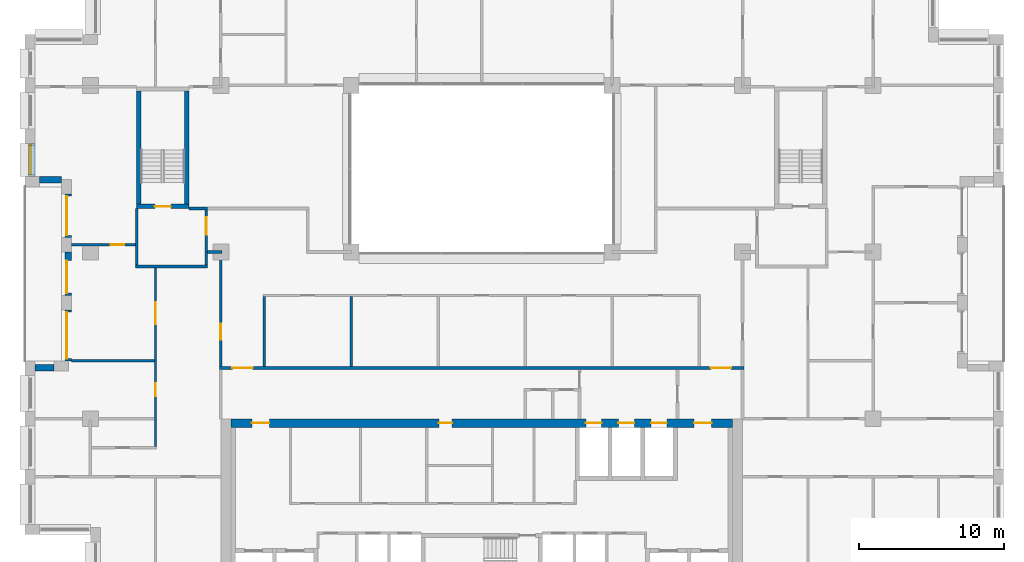
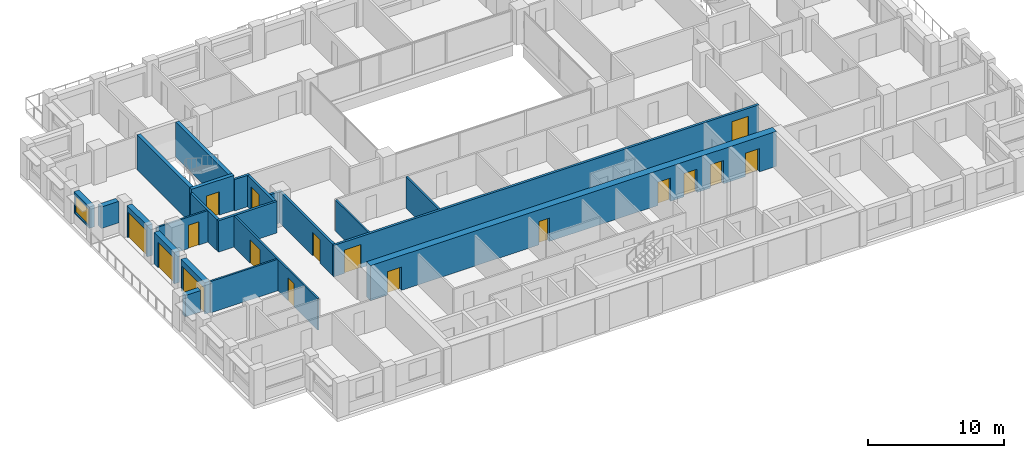
# One storey, part 9 of 15: 22 walls, 17 doors, 1 window, 18 openings.
"""IFC4 building model written with IfcOpenShell, lengths in metres."""

from ifc_helpers import new_model, si_unit, direction, frame, frame_2d, origin, place, context, subcontext, project, spatial, rectangle, extrude, material, layer, layer_set, type_object, element, fill, save


model = new_model("IFC4")

# Units and contexts
model_context = context("Model", 3, precision=1e-05, world=origin(), true_north=direction((0.0, 1.0)))
body_context = subcontext(model_context, "Body", "Model", "MODEL_VIEW")
ifc_project = project(units=[si_unit("LENGTHUNIT", "METRE"), si_unit("AREAUNIT", "SQUARE_METRE"), si_unit("VOLUMEUNIT", "CUBIC_METRE"), si_unit("PLANEANGLEUNIT", "RADIAN"), si_unit("MASSUNIT", "GRAM", prefix="KILO")], contexts=[model_context])

# Site, building, storey
site_placement = place(None, origin())
site = spatial("IfcSite", under=ifc_project, at=site_placement, CompositionType="ELEMENT")
building_placement = place(site_placement, origin())
building = spatial("IfcBuilding", under=site, at=building_placement, Name="Brigalow Station Residences", CompositionType="ELEMENT")
storey_placement = place(building_placement, frame((0.0, 0.0, 144.449951171875)))
storey = spatial("IfcBuildingStorey", under=building, at=storey_placement, Name="L41", CompositionType="ELEMENT", Elevation=144.449951171875)

# Wall, opening, window
ifc_material_1 = material(Name="Clay brick masonry", Category="masonry")
ifc_layer_1 = layer(ifc_material_1, 0.449951171875)
ifc_layer_set_1 = layer_set([ifc_layer_1], Name="BRICK INFILL WALL 450")
wall_type_1 = type_object("IfcWallType", Name="BRICK INFILL WALL 450", PredefinedType="SOLIDWALL", material=ifc_layer_set_1)
wall_1_placement = place(storey_placement, frame((4.97509765625, 31.5, 0.900146484375), z_axis=(0.0, 0.0, 1.0), x_axis=(0.0, -1.0, 0.0)))
wall_1 = element("IfcWall", 1, at=wall_1_placement, inside=storey, type_object=wall_type_1, Name="L41/ewall/W-L41-39", PredefinedType="SOLIDWALL", context=body_context, shape_type="SweptSolid", body=[
    extrude(rectangle(XDim=2.300048828125, YDim=0.449951171875, at=frame_2d((1.14990234375, 0.0))), origin(), (0.0, 0.0, 1.0), 1.929931640625),
])
opening_1_placement = place(wall_1_placement, frame((0.14990234375, 0.0, 0.14990234375)))
opening_1 = element("IfcOpeningElement", 2, at=opening_1_placement, cuts=wall_1, Name="Opening WT-7", PredefinedType="OPENING", context=body_context, shape_type="SweptSolid", body=[
    extrude(rectangle(XDim=2.0, YDim=1.5, at=frame_2d((1.0, 0.75))), frame((0.0, 0.23486328125, 0.0), z_axis=(0.0, -1.0, 0.0), x_axis=(1.0, 0.0, 0.0)), (0.0, 0.0, 1.0), 0.469970703125),
])
ifc_material_2 = material(Name="Anodised aluminium frame with double glazing", Category="aluminium")
window_type = type_object("IfcWindowType", Name="WINDOW 2000x1500", PartitioningType="SINGLE_PANEL", PredefinedType="WINDOW", material=ifc_material_2)
window_placement = place(opening_1_placement, origin())
window = element("IfcWindow", 3, at=window_placement, inside=storey, type_object=window_type, Name="L41/window/W-L41-39", OverallHeight=1.5, OverallWidth=2.0, PartitioningType="SINGLE_PANEL", PredefinedType="WINDOW", context=body_context, shape_type="SweptSolid", body=[
    extrude(rectangle(XDim=2.0, YDim=1.5, at=frame_2d((1.0, 0.75))), frame((0.0, -0.06494140625, 0.0), z_axis=(0.0, -1.0, 0.0), x_axis=(1.0, 0.0, 0.0)), (0.0, 0.0, 1.0), 0.06005859375),
])
fill(opening_1, window)

# Wall
wall_2_placement = place(storey_placement, frame((5.5, 28.97509765625, 0.900146484375), z_axis=(0.0, 0.0, 1.0), x_axis=(1.0, 0.0, 0.0)))
element("IfcWall", 4, at=wall_2_placement, inside=storey, type_object=wall_type_1, Name="L41/ewall/W-L41-40", PredefinedType="SOLIDWALL", context=body_context, shape_type="SweptSolid", body=[
    extrude(rectangle(XDim=1.5, YDim=0.449951171875, at=frame_2d((0.75, 0.0))), origin(), (0.0, 0.0, 1.0), 1.929931640625),
])

# Wall, opening, door
wall_3_placement = place(storey_placement, frame((7.47509765625, 28.0, 0.0), z_axis=(0.0, 0.0, 1.0), x_axis=(0.0, -1.0, 0.0)))
wall_3 = element("IfcWall", 5, at=wall_3_placement, inside=storey, type_object=wall_type_1, Name="L41/ewall/W-L41-41", PredefinedType="SOLIDWALL", context=body_context, shape_type="SweptSolid", body=[
    extrude(rectangle(XDim=3.0, YDim=0.449951171875, at=frame_2d((1.5, 0.0))), origin(), (0.0, 0.0, 1.0), 2.830078125),
])
opening_2_placement = place(wall_3_placement, frame((0.14990234375, 0.0, 0.0)))
opening_2 = element("IfcOpeningElement", 6, at=opening_2_placement, cuts=wall_3, Name="Opening D-B2700", PredefinedType="OPENING", context=body_context, shape_type="SweptSolid", body=[
    extrude(rectangle(XDim=2.699951171875, YDim=2.300048828125, at=frame_2d((1.35009765625, 1.14990234375))), frame((0.0, 0.23486328125, 0.0), z_axis=(0.0, -1.0, 0.0), x_axis=(1.0, 0.0, 0.0)), (0.0, 0.0, 1.0), 0.469970703125),
])
ifc_material_3 = material(Name="Anodised aluminium frame with double glazing", Category="aluminium")
door_type_1 = type_object("IfcDoorType", Name="BALCONY SLIDING DOOR 2700x2300", OperationType="SLIDING_TO_LEFT", PredefinedType="DOOR", material=ifc_material_3)
door_1_placement = place(opening_2_placement, origin())
door_1 = element("IfcDoor", 7, at=door_1_placement, inside=storey, type_object=door_type_1, Name="L41/balcony-door/W-L41-41", OperationType="SLIDING_TO_LEFT", OverallHeight=2.300048828125, OverallWidth=2.699951171875, PredefinedType="DOOR", context=body_context, shape_type="SweptSolid", body=[
    extrude(rectangle(XDim=2.699951171875, YDim=2.300048828125, at=frame_2d((1.35009765625, 1.14990234375))), frame((0.0, -0.06982421875, 0.0), z_axis=(0.0, -1.0, 0.0), x_axis=(1.0, 0.0, 0.0)), (0.0, 0.0, 1.0), 0.050048828125),
])
fill(opening_2, door_1)

wall_4_placement = place(storey_placement, frame((7.47509765625, 24.0, 0.0), z_axis=(0.0, 0.0, 1.0), x_axis=(0.0, -1.0, 0.0)))
wall_4 = element("IfcWall", 8, at=wall_4_placement, inside=storey, type_object=wall_type_1, Name="L41/ewall/W-L41-42", PredefinedType="SOLIDWALL", context=body_context, shape_type="SweptSolid", body=[
    extrude(rectangle(XDim=3.0, YDim=0.449951171875, at=frame_2d((1.5, 0.0))), origin(), (0.0, 0.0, 1.0), 2.830078125),
])
opening_3_placement = place(wall_4_placement, frame((0.5849609375, 0.0, 0.0)))
opening_3 = element("IfcOpeningElement", 9, at=opening_3_placement, cuts=wall_4, Name="Opening D-B2250", PredefinedType="OPENING", context=body_context, shape_type="SweptSolid", body=[
    extrude(rectangle(XDim=2.25, YDim=2.300048828125, at=frame_2d((1.125, 1.14990234375))), frame((0.0, 0.23486328125, 0.0), z_axis=(0.0, -1.0, 0.0), x_axis=(1.0, 0.0, 0.0)), (0.0, 0.0, 1.0), 0.469970703125),
])
ifc_material_4 = material(Name="Anodised aluminium frame with double glazing", Category="aluminium")
door_type_2 = type_object("IfcDoorType", Name="BALCONY SLIDING DOOR 2250x2300", OperationType="SLIDING_TO_LEFT", PredefinedType="DOOR", material=ifc_material_4)
door_2_placement = place(opening_3_placement, origin())
door_2 = element("IfcDoor", 10, at=door_2_placement, inside=storey, type_object=door_type_2, Name="L41/balcony-door/W-L41-42", OperationType="SLIDING_TO_LEFT", OverallHeight=2.300048828125, OverallWidth=2.25, PredefinedType="DOOR", context=body_context, shape_type="SweptSolid", body=[
    extrude(rectangle(XDim=2.25, YDim=2.300048828125, at=frame_2d((1.125, 1.14990234375))), frame((0.0, -0.06982421875, 0.0), z_axis=(0.0, -1.0, 0.0), x_axis=(1.0, 0.0, 0.0)), (0.0, 0.0, 1.0), 0.050048828125),
])
fill(opening_3, door_2)

wall_5_placement = place(storey_placement, frame((7.47509765625, 20.0, 0.0), z_axis=(0.0, 0.0, 1.0), x_axis=(0.0, -1.0, 0.0)))
wall_5 = element("IfcWall", 11, at=wall_5_placement, inside=storey, type_object=wall_type_1, Name="L41/ewall/W-L41-43", PredefinedType="SOLIDWALL", context=body_context, shape_type="SweptSolid", body=[
    extrude(rectangle(XDim=3.5, YDim=0.449951171875, at=frame_2d((1.75, 0.0))), origin(), (0.0, 0.0, 1.0), 2.830078125),
])
opening_4_placement = place(wall_5_placement, frame((0.14990234375, 0.0, 0.0)))
opening_4 = element("IfcOpeningElement", 12, at=opening_4_placement, cuts=wall_5, Name="Opening D-B3200", PredefinedType="OPENING", context=body_context, shape_type="SweptSolid", body=[
    extrude(rectangle(XDim=3.199951171875, YDim=2.300048828125, at=frame_2d((1.60009765625, 1.14990234375))), frame((0.0, 0.23486328125, 0.0), z_axis=(0.0, -1.0, 0.0), x_axis=(1.0, 0.0, 0.0)), (0.0, 0.0, 1.0), 0.469970703125),
])
ifc_material_5 = material(Name="Anodised aluminium frame with double glazing", Category="aluminium")
door_type_3 = type_object("IfcDoorType", Name="BALCONY SLIDING DOOR 3200x2300", OperationType="SLIDING_TO_LEFT", PredefinedType="DOOR", material=ifc_material_5)
door_3_placement = place(opening_4_placement, origin())
door_3 = element("IfcDoor", 13, at=door_3_placement, inside=storey, type_object=door_type_3, Name="L41/balcony-door/W-L41-43", OperationType="SLIDING_TO_LEFT", OverallHeight=2.300048828125, OverallWidth=3.199951171875, PredefinedType="DOOR", context=body_context, shape_type="SweptSolid", body=[
    extrude(rectangle(XDim=3.199951171875, YDim=2.300048828125, at=frame_2d((1.60009765625, 1.14990234375))), frame((0.0, -0.06982421875, 0.0), z_axis=(0.0, -1.0, 0.0), x_axis=(1.0, 0.0, 0.0)), (0.0, 0.0, 1.0), 0.050048828125),
])
fill(opening_4, door_3)

# Wall
wall_6_placement = place(storey_placement, frame((6.5, 16.02490234375, 0.900146484375), z_axis=(0.0, 0.0, 1.0), x_axis=(-1.0, 0.0, 0.0)))
element("IfcWall", 14, at=wall_6_placement, inside=storey, type_object=wall_type_1, Name="L41/ewall/W-L41-44", PredefinedType="SOLIDWALL", context=body_context, shape_type="SweptSolid", body=[
    extrude(rectangle(XDim=1.300048828125, YDim=0.449951171875, at=frame_2d((0.64990234375, 0.0))), origin(), (0.0, 0.0, 1.0), 1.929931640625),
])

# Wall, opening, door
ifc_material_6 = material(Name="Concrete C65", Category="concrete")
ifc_layer_2 = layer(ifc_material_6, 0.300048828125)
ifc_layer_set_2 = layer_set([ifc_layer_2], Name="CORE SHEAR WALL 300 C65")
wall_type_2 = type_object("IfcWallType", Name="CORE SHEAR WALL 300 C65", PredefinedType="SHEAR", material=ifc_layer_set_2)
wall_7_placement = place(storey_placement, frame((12.199951171875, 27.14990234375, 0.0), z_axis=(0.0, 0.0, 1.0), x_axis=(1.0, 0.0, 0.0)))
wall_7 = element("IfcWall", 15, at=wall_7_placement, inside=storey, type_object=wall_type_2, Name="CORE WALL ST-S1-S L41", PredefinedType="SHEAR", context=body_context, shape_type="SweptSolid", body=[
    extrude(rectangle(XDim=3.60009765625, YDim=0.300048828125, at=frame_2d((1.800048828125, 0.0))), origin(), (0.0, 0.0, 1.0), 3.150146484375),
])
opening_5_placement = place(wall_7_placement, frame((1.25, 0.0, 0.0)))
opening_5 = element("IfcOpeningElement", 16, at=opening_5_placement, cuts=wall_7, Name="Opening D-5015", PredefinedType="OPENING", context=body_context, shape_type="SweptSolid", body=[
    extrude(rectangle(XDim=1.10009765625, YDim=2.10009765625, at=frame_2d((0.550048828125, 1.050048828125))), frame((0.0, 0.16015625, 0.0), z_axis=(0.0, -1.0, 0.0), x_axis=(1.0, 0.0, 0.0)), (0.0, 0.0, 1.0), 0.320068359375),
])
ifc_material_7 = material(Name="Steel fire door leaf in steel frame", Category="steel")
door_type_4 = type_object("IfcDoorType", Name="STAIR DOOR 1100 x 2100 FD60S", OperationType="SINGLE_SWING_LEFT", PredefinedType="DOOR", material=ifc_material_7)
door_4_placement = place(opening_5_placement, origin())
door_4 = element("IfcDoor", 17, at=door_4_placement, inside=storey, type_object=door_type_4, Name="D-5015", OperationType="SINGLE_SWING_LEFT", OverallHeight=2.10009765625, OverallWidth=1.10009765625, PredefinedType="DOOR", context=body_context, shape_type="SweptSolid", body=[
    extrude(rectangle(XDim=1.10009765625, YDim=2.10009765625, at=frame_2d((0.550048828125, 1.050048828125))), frame((0.0, 0.02490234375, 0.0), z_axis=(0.0, -1.0, 0.0), x_axis=(1.0, 0.0, 0.0)), (0.0, 0.0, 1.0), 0.050048828125),
])
fill(opening_5, door_4)

# Walls
for number, where, z_axis, x_axis, name in (
    (18, (12.35009765625, 27.300048828125, 0.0), (0.0, 0.0, 1.0), (0.0, 1.0, 0.0), "CORE WALL ST-S1-W L41"),
    (19, (15.64990234375, 27.300048828125, 0.0), (0.0, 0.0, 1.0), (0.0, 1.0, 0.0), "CORE WALL ST-S1-E L41"),
):
    element("IfcWall", number, at=place(storey_placement, frame(where, z_axis=z_axis, x_axis=x_axis)), inside=storey, type_object=wall_type_2, Name=name, PredefinedType="SHEAR", context=body_context, shape_type="SweptSolid", body=[
        extrude(rectangle(XDim=7.800048828125, YDim=0.300048828125, at=frame_2d((3.89990234375, 0.0))), origin(), (0.0, 0.0, 1.0), 3.150146484375),
    ])

# Wall, openings, doors
ifc_material_8 = material(Name="Concrete C65", Category="concrete")
ifc_layer_3 = layer(ifc_material_8, 0.60009765625)
ifc_layer_set_3 = layer_set([ifc_layer_3], Name="CORE SHEAR WALL 600 C65")
wall_type_3 = type_object("IfcWallType", Name="CORE SHEAR WALL 600 C65", PredefinedType="SHEAR", material=ifc_layer_set_3)
wall_8_placement = place(storey_placement, frame((18.699951171875, 12.199951171875, 0.0), z_axis=(0.0, 0.0, 1.0), x_axis=(1.0, 0.0, 0.0)))
wall_8 = element("IfcWall", 20, at=wall_8_placement, inside=storey, type_object=wall_type_3, Name="CORE WALL OUT-N L41", PredefinedType="SHEAR", context=body_context, shape_type="SweptSolid", body=[
    extrude(rectangle(XDim=34.60009765625, YDim=0.60009765625, at=frame_2d((17.300048828125, 0.0))), origin(), (0.0, 0.0, 1.0), 3.150146484375),
])
opening_6_placement = place(wall_8_placement, frame((24.47509765625, 0.0, 0.0)))
opening_6 = element("IfcOpeningElement", 21, at=opening_6_placement, cuts=wall_8, Name="Opening LD-LF1", PredefinedType="OPENING", context=body_context, shape_type="SweptSolid", body=[
    extrude(rectangle(XDim=1.10009765625, YDim=2.10009765625, at=frame_2d((0.550048828125, 1.050048828125))), frame((0.0, 0.31005859375, 0.0), z_axis=(0.0, -1.0, 0.0), x_axis=(1.0, 0.0, 0.0)), (0.0, 0.0, 1.0), 0.6201171875),
])
opening_7_placement = place(wall_8_placement, frame((26.72509765625, 0.0, 0.0)))
opening_7 = element("IfcOpeningElement", 22, at=opening_7_placement, cuts=wall_8, Name="Opening LD-LF2", PredefinedType="OPENING", context=body_context, shape_type="SweptSolid", body=[
    extrude(rectangle(XDim=1.10009765625, YDim=2.10009765625, at=frame_2d((0.550048828125, 1.050048828125))), frame((0.0, 0.31005859375, 0.0), z_axis=(0.0, -1.0, 0.0), x_axis=(1.0, 0.0, 0.0)), (0.0, 0.0, 1.0), 0.6201171875),
])
opening_8_placement = place(wall_8_placement, frame((28.97509765625, 0.0, 0.0)))
opening_8 = element("IfcOpeningElement", 23, at=opening_8_placement, cuts=wall_8, Name="Opening LD-LG1", PredefinedType="OPENING", context=body_context, shape_type="SweptSolid", body=[
    extrude(rectangle(XDim=1.10009765625, YDim=2.10009765625, at=frame_2d((0.550048828125, 1.050048828125))), frame((0.0, 0.31005859375, 0.0), z_axis=(0.0, -1.0, 0.0), x_axis=(1.0, 0.0, 0.0)), (0.0, 0.0, 1.0), 0.6201171875),
])
opening_9_placement = place(wall_8_placement, frame((14.35009765625, 0.0, 0.0)))
opening_9 = element("IfcOpeningElement", 24, at=opening_9_placement, cuts=wall_8, Name="Opening D-5113", PredefinedType="OPENING", context=body_context, shape_type="SweptSolid", body=[
    extrude(rectangle(XDim=0.89990234375, YDim=2.10009765625, at=frame_2d((0.449951171875, 1.050048828125))), frame((0.0, 0.31005859375, 0.0), z_axis=(0.0, -1.0, 0.0), x_axis=(1.0, 0.0, 0.0)), (0.0, 0.0, 1.0), 0.6201171875),
])
opening_10_placement = place(wall_8_placement, frame((1.449951171875, 0.0, 0.0)))
opening_10 = element("IfcOpeningElement", 25, at=opening_10_placement, cuts=wall_8, Name="Opening D-5011", PredefinedType="OPENING", context=body_context, shape_type="SweptSolid", body=[
    extrude(rectangle(XDim=1.199951171875, YDim=2.10009765625, at=frame_2d((0.60009765625, 1.050048828125))), frame((0.0, 0.31005859375, 0.0), z_axis=(0.0, -1.0, 0.0), x_axis=(1.0, 0.0, 0.0)), (0.0, 0.0, 1.0), 0.6201171875),
])
opening_11_placement = place(wall_8_placement, frame((31.949951171875, 0.0, 0.0)))
opening_11 = element("IfcOpeningElement", 26, at=opening_11_placement, cuts=wall_8, Name="Opening D-5012", PredefinedType="OPENING", context=body_context, shape_type="SweptSolid", body=[
    extrude(rectangle(XDim=1.199951171875, YDim=2.10009765625, at=frame_2d((0.60009765625, 1.050048828125))), frame((0.0, 0.31005859375, 0.0), z_axis=(0.0, -1.0, 0.0), x_axis=(1.0, 0.0, 0.0)), (0.0, 0.0, 1.0), 0.6201171875),
])
ifc_material_9 = material(Name="Steel fire door leaf in steel frame", Category="steel")
door_type_5 = type_object("IfcDoorType", Name="CORE CORRIDOR DOOR 1200 x 2100 FD60S", OperationType="SINGLE_SWING_LEFT", PredefinedType="DOOR", material=ifc_material_9)
door_5_placement = place(opening_10_placement, frame((1.199951171875, 0.0, 0.0), z_axis=(0.0, 0.0, 1.0), x_axis=(-1.0, 0.0, 0.0)))
door_5 = element("IfcDoor", 27, at=door_5_placement, inside=storey, type_object=door_type_5, Name="D-5011", OperationType="SINGLE_SWING_LEFT", OverallHeight=2.10009765625, OverallWidth=1.199951171875, PredefinedType="DOOR", context=body_context, shape_type="SweptSolid", body=[
    extrude(rectangle(XDim=1.199951171875, YDim=2.10009765625, at=frame_2d((0.60009765625, 1.050048828125))), frame((0.0, 0.02490234375, 0.0), z_axis=(0.0, -1.0, 0.0), x_axis=(1.0, 0.0, 0.0)), (0.0, 0.0, 1.0), 0.050048828125),
])
fill(opening_10, door_5)
door_6_placement = place(opening_11_placement, frame((1.199951171875, 0.0, 0.0), z_axis=(0.0, 0.0, 1.0), x_axis=(-1.0, 0.0, 0.0)))
door_6 = element("IfcDoor", 28, at=door_6_placement, inside=storey, type_object=door_type_5, Name="D-5012", OperationType="SINGLE_SWING_RIGHT", OverallHeight=2.10009765625, OverallWidth=1.199951171875, PredefinedType="DOOR", context=body_context, shape_type="SweptSolid", body=[
    extrude(rectangle(XDim=1.199951171875, YDim=2.10009765625, at=frame_2d((0.60009765625, 1.050048828125))), frame((0.0, 0.02490234375, 0.0), z_axis=(0.0, -1.0, 0.0), x_axis=(1.0, 0.0, 0.0)), (0.0, 0.0, 1.0), 0.050048828125),
])
fill(opening_11, door_6)
ifc_material_10 = material(Name="Stainless steel sliding door leaves", Category="steel")
door_type_6 = type_object("IfcDoorType", Name="LIFT LANDING DOOR 1100 x 2100", OperationType="DOUBLE_DOOR_SLIDING", PredefinedType="DOOR", material=ifc_material_10)
door_7_placement = place(opening_6_placement, origin())
door_7 = element("IfcDoor", 29, at=door_7_placement, inside=storey, type_object=door_type_6, Name="LANDING DOOR LF1", OperationType="DOUBLE_DOOR_SLIDING", OverallHeight=2.10009765625, OverallWidth=1.10009765625, PredefinedType="DOOR", context=body_context, shape_type="SweptSolid", body=[
    extrude(rectangle(XDim=1.10009765625, YDim=2.10009765625, at=frame_2d((0.550048828125, 1.050048828125))), frame((0.0, 0.02490234375, 0.0), z_axis=(0.0, -1.0, 0.0), x_axis=(1.0, 0.0, 0.0)), (0.0, 0.0, 1.0), 0.050048828125),
])
fill(opening_6, door_7)
door_8_placement = place(opening_7_placement, origin())
door_8 = element("IfcDoor", 30, at=door_8_placement, inside=storey, type_object=door_type_6, Name="LANDING DOOR LF2", OperationType="DOUBLE_DOOR_SLIDING", OverallHeight=2.10009765625, OverallWidth=1.10009765625, PredefinedType="DOOR", context=body_context, shape_type="SweptSolid", body=[
    extrude(rectangle(XDim=1.10009765625, YDim=2.10009765625, at=frame_2d((0.550048828125, 1.050048828125))), frame((0.0, 0.02490234375, 0.0), z_axis=(0.0, -1.0, 0.0), x_axis=(1.0, 0.0, 0.0)), (0.0, 0.0, 1.0), 0.050048828125),
])
fill(opening_7, door_8)
door_9_placement = place(opening_8_placement, origin())
door_9 = element("IfcDoor", 31, at=door_9_placement, inside=storey, type_object=door_type_6, Name="LANDING DOOR LG1", OperationType="DOUBLE_DOOR_SLIDING", OverallHeight=2.10009765625, OverallWidth=1.10009765625, PredefinedType="DOOR", context=body_context, shape_type="SweptSolid", body=[
    extrude(rectangle(XDim=1.10009765625, YDim=2.10009765625, at=frame_2d((0.550048828125, 1.050048828125))), frame((0.0, 0.02490234375, 0.0), z_axis=(0.0, -1.0, 0.0), x_axis=(1.0, 0.0, 0.0)), (0.0, 0.0, 1.0), 0.050048828125),
])
fill(opening_8, door_9)
ifc_material_11 = material(Name="Steel door leaf in steel frame", Category="steel")
door_type_7 = type_object("IfcDoorType", Name="SERVICE ROOM DOOR 900 x 2100 FD60", OperationType="SINGLE_SWING_LEFT", PredefinedType="DOOR", material=ifc_material_11)
door_10_placement = place(opening_9_placement, frame((0.89990234375, 0.0, 0.0), z_axis=(0.0, 0.0, 1.0), x_axis=(-1.0, 0.0, 0.0)))
door_10 = element("IfcDoor", 32, at=door_10_placement, inside=storey, type_object=door_type_7, Name="D-5113", OperationType="SINGLE_SWING_RIGHT", OverallHeight=2.10009765625, OverallWidth=0.89990234375, PredefinedType="DOOR", context=body_context, shape_type="SweptSolid", body=[
    extrude(rectangle(XDim=0.89990234375, YDim=2.10009765625, at=frame_2d((0.449951171875, 1.050048828125))), frame((0.0, 0.02490234375, 0.0), z_axis=(0.0, -1.0, 0.0), x_axis=(1.0, 0.0, 0.0)), (0.0, 0.0, 1.0), 0.050048828125),
])
fill(opening_9, door_10)

# Walls
ifc_material_12 = material(Name="Concrete blockwork", Category="masonry")
ifc_layer_4 = layer(ifc_material_12, 0.199951171875)
ifc_layer_set_4 = layer_set([ifc_layer_4], Name="FIRE RATED CORE PARTITION 200")
wall_type_4 = type_object("IfcWallType", Name="FIRE RATED CORE PARTITION 200", PredefinedType="PARTITIONING", material=ifc_layer_set_4)
wall_9_placement = place(storey_placement, frame((12.10009765625, 23.0, 0.0), z_axis=(0.0, 0.0, 1.0), x_axis=(1.0, 0.0, 0.0)))
element("IfcWall", 33, at=wall_9_placement, inside=storey, type_object=wall_type_4, Name="PW-5023", PredefinedType="PARTITIONING", context=body_context, shape_type="SweptSolid", body=[
    extrude(rectangle(XDim=5.0, YDim=0.199951171875, at=frame_2d((2.5, 0.0))), origin(), (0.0, 0.0, 1.0), 2.830078125),
])
wall_10_placement = place(storey_placement, frame((15.800048828125, 27.0, 0.0), z_axis=(0.0, 0.0, 1.0), x_axis=(1.0, 0.0, 0.0)))
element("IfcWall", 34, at=wall_10_placement, inside=storey, type_object=wall_type_4, Name="PW-5025", PredefinedType="PARTITIONING", context=body_context, shape_type="SweptSolid", body=[
    extrude(rectangle(XDim=1.300048828125, YDim=0.199951171875, at=frame_2d((0.64990234375, 0.0))), origin(), (0.0, 0.0, 1.0), 2.830078125),
])
wall_11_placement = place(storey_placement, frame((12.199951171875, 23.10009765625, 0.0), z_axis=(0.0, 0.0, 1.0), x_axis=(0.0, 1.0, 0.0)))
element("IfcWall", 35, at=wall_11_placement, inside=storey, type_object=wall_type_4, Name="PW-5034", PredefinedType="PARTITIONING", context=body_context, shape_type="SweptSolid", body=[
    extrude(rectangle(XDim=3.89990234375, YDim=0.199951171875, at=frame_2d((1.949951171875, 0.0))), origin(), (0.0, 0.0, 1.0), 2.830078125),
])

# Wall, opening, door
wall_12_placement = place(storey_placement, frame((17.0, 23.10009765625, 0.0), z_axis=(0.0, 0.0, 1.0), x_axis=(0.0, 1.0, 0.0)))
wall_12 = element("IfcWall", 36, at=wall_12_placement, inside=storey, type_object=wall_type_4, Name="PW-5035", PredefinedType="PARTITIONING", context=body_context, shape_type="SweptSolid", body=[
    extrude(rectangle(XDim=3.7998046875, YDim=0.199951171875, at=frame_2d((1.89990234375, 0.0))), origin(), (0.0, 0.0, 1.0), 2.830078125),
])
opening_12_placement = place(wall_12_placement, frame((2.10009765625, 0.0, 0.0)))
opening_12 = element("IfcOpeningElement", 37, at=opening_12_placement, cuts=wall_12, Name="Opening D-5016", PredefinedType="OPENING", context=body_context, shape_type="SweptSolid", body=[
    extrude(rectangle(XDim=1.199951171875, YDim=2.10009765625, at=frame_2d((0.60009765625, 1.050048828125))), frame((0.0, 0.10986328125, 0.0), z_axis=(0.0, -1.0, 0.0), x_axis=(1.0, 0.0, 0.0)), (0.0, 0.0, 1.0), 0.219970703125),
])
ifc_material_13 = material(Name="Steel fire door leaf in steel frame", Category="steel")
door_type_8 = type_object("IfcDoorType", Name="STAIR LOBBY DOOR 1200 x 2100 FD60S", OperationType="SINGLE_SWING_LEFT", PredefinedType="DOOR", material=ifc_material_13)
door_11_placement = place(opening_12_placement, origin())
door_11 = element("IfcDoor", 38, at=door_11_placement, inside=storey, type_object=door_type_8, Name="D-5016", OperationType="SINGLE_SWING_RIGHT", OverallHeight=2.10009765625, OverallWidth=1.199951171875, PredefinedType="DOOR", context=body_context, shape_type="SweptSolid", body=[
    extrude(rectangle(XDim=1.199951171875, YDim=2.10009765625, at=frame_2d((0.60009765625, 1.050048828125))), frame((0.0, 0.02490234375, 0.0), z_axis=(0.0, -1.0, 0.0), x_axis=(1.0, 0.0, 0.0)), (0.0, 0.0, 1.0), 0.050048828125),
])
fill(opening_12, door_11)

# Wall
ifc_material_14 = material(Name="Plasterboard on steel stud partition", Category="steel")
ifc_layer_5 = layer(ifc_material_14, 0.14990234375)
ifc_layer_set_5 = layer_set([ifc_layer_5], Name="FLAT PARTITION 150")
wall_type_5 = type_object("IfcWallType", Name="FLAT PARTITION 150", PredefinedType="PARTITIONING", material=ifc_layer_set_5)
wall_13_placement = place(storey_placement, frame((7.699951171875, 16.5, 0.0), z_axis=(0.0, 0.0, 1.0), x_axis=(1.0, 0.0, 0.0)))
element("IfcWall", 39, at=wall_13_placement, inside=storey, type_object=wall_type_5, Name="PW-3A14", PredefinedType="PARTITIONING", context=body_context, shape_type="SweptSolid", body=[
    extrude(rectangle(XDim=5.72509765625, YDim=0.14990234375, at=frame_2d((2.862548828125, 0.0))), origin(), (0.0, 0.0, 1.0), 2.830078125),
])

# Wall, opening, door
wall_14_placement = place(storey_placement, frame((7.699951171875, 24.5, 0.0), z_axis=(0.0, 0.0, 1.0), x_axis=(1.0, 0.0, 0.0)))
wall_14 = element("IfcWall", 40, at=wall_14_placement, inside=storey, type_object=wall_type_5, Name="PW-3A16", PredefinedType="PARTITIONING", context=body_context, shape_type="SweptSolid", body=[
    extrude(rectangle(XDim=4.400146484375, YDim=0.14990234375, at=frame_2d((2.2001953125, 0.0))), origin(), (0.0, 0.0, 1.0), 2.830078125),
])
opening_13_placement = place(wall_14_placement, frame((2.72509765625, 0.0, 0.0)))
opening_13 = element("IfcOpeningElement", 41, at=opening_13_placement, cuts=wall_14, Name="Opening D-3A09", PredefinedType="OPENING", context=body_context, shape_type="SweptSolid", body=[
    extrude(rectangle(XDim=0.89990234375, YDim=2.10009765625, at=frame_2d((0.449951171875, 1.050048828125))), frame((0.0, 0.0849609375, 0.0), z_axis=(0.0, -1.0, 0.0), x_axis=(1.0, 0.0, 0.0)), (0.0, 0.0, 1.0), 0.169921875),
])
ifc_material_15 = material(Name="Solid-core timber door leaf", Category="wood")
door_type_9 = type_object("IfcDoorType", Name="INTERNAL DOOR 900 x 2100", OperationType="SINGLE_SWING_LEFT", PredefinedType="DOOR", material=ifc_material_15)
door_12_placement = place(opening_13_placement, frame((0.89990234375, 0.0, 0.0), z_axis=(0.0, 0.0, 1.0), x_axis=(-1.0, 0.0, 0.0)))
door_12 = element("IfcDoor", 42, at=door_12_placement, inside=storey, type_object=door_type_9, Name="D-3A09", OperationType="SINGLE_SWING_LEFT", OverallHeight=2.10009765625, OverallWidth=0.89990234375, PredefinedType="DOOR", context=body_context, shape_type="SweptSolid", body=[
    extrude(rectangle(XDim=0.89990234375, YDim=2.10009765625, at=frame_2d((0.449951171875, 1.050048828125))), frame((0.0, 0.02490234375, 0.0), z_axis=(0.0, -1.0, 0.0), x_axis=(1.0, 0.0, 0.0)), (0.0, 0.0, 1.0), 0.050048828125),
])
fill(opening_13, door_12)

# Wall
wall_15_placement = place(storey_placement, frame((21.0, 16.10009765625, 0.0), z_axis=(0.0, 0.0, 1.0), x_axis=(0.0, 1.0, 0.0)))
element("IfcWall", 43, at=wall_15_placement, inside=storey, type_object=wall_type_5, Name="PW-3A33", PredefinedType="PARTITIONING", context=body_context, shape_type="SweptSolid", body=[
    extrude(rectangle(XDim=4.824951171875, YDim=0.14990234375, at=frame_2d((2.41259765625, 0.0))), origin(), (0.0, 0.0, 1.0), 2.830078125),
])

# Wall, openings, doors
wall_16_placement = place(storey_placement, frame((13.5, 10.574951171875, 0.0), z_axis=(0.0, 0.0, 1.0), x_axis=(0.0, 1.0, 0.0)))
wall_16 = element("IfcWall", 44, at=wall_16_placement, inside=storey, type_object=wall_type_5, Name="PW-3A39", PredefinedType="PARTITIONING", context=body_context, shape_type="SweptSolid", body=[
    extrude(rectangle(XDim=12.324951171875, YDim=0.14990234375, at=frame_2d((6.16259765625, 0.0))), origin(), (0.0, 0.0, 1.0), 2.830078125),
])
opening_14_placement = place(wall_16_placement, frame((3.47509765625, 0.0, 0.0)))
opening_14 = element("IfcOpeningElement", 45, at=opening_14_placement, cuts=wall_16, Name="Opening D-3A07", PredefinedType="OPENING", context=body_context, shape_type="SweptSolid", body=[
    extrude(rectangle(XDim=0.89990234375, YDim=2.10009765625, at=frame_2d((0.449951171875, 1.050048828125))), frame((0.0, 0.0849609375, 0.0), z_axis=(0.0, -1.0, 0.0), x_axis=(1.0, 0.0, 0.0)), (0.0, 0.0, 1.0), 0.169921875),
])
opening_15_placement = place(wall_16_placement, frame((8.449951171875, 0.0, 0.0)))
opening_15 = element("IfcOpeningElement", 46, at=opening_15_placement, cuts=wall_16, Name="Opening D-3A08", PredefinedType="OPENING", context=body_context, shape_type="SweptSolid", body=[
    extrude(rectangle(XDim=1.5, YDim=2.10009765625, at=frame_2d((0.75, 1.050048828125))), frame((0.0, 0.0849609375, 0.0), z_axis=(0.0, -1.0, 0.0), x_axis=(1.0, 0.0, 0.0)), (0.0, 0.0, 1.0), 0.169921875),
])
door_13_placement = place(opening_14_placement, origin())
door_13 = element("IfcDoor", 47, at=door_13_placement, inside=storey, type_object=door_type_9, Name="D-3A07", OperationType="SINGLE_SWING_LEFT", OverallHeight=2.10009765625, OverallWidth=0.89990234375, PredefinedType="DOOR", context=body_context, shape_type="SweptSolid", body=[
    extrude(rectangle(XDim=0.89990234375, YDim=2.10009765625, at=frame_2d((0.449951171875, 1.050048828125))), frame((0.0, 0.02490234375, 0.0), z_axis=(0.0, -1.0, 0.0), x_axis=(1.0, 0.0, 0.0)), (0.0, 0.0, 1.0), 0.050048828125),
])
fill(opening_14, door_13)
ifc_material_16 = material(Name="Solid-core timber door leaf", Category="wood")
door_type_10 = type_object("IfcDoorType", Name="INTERNAL DOUBLE DOOR 1500 x 2100", OperationType="DOUBLE_DOOR_SINGLE_SWING", PredefinedType="DOOR", material=ifc_material_16)
door_14_placement = place(opening_15_placement, origin())
door_14 = element("IfcDoor", 48, at=door_14_placement, inside=storey, type_object=door_type_10, Name="D-3A08", OperationType="DOUBLE_DOOR_SINGLE_SWING", OverallHeight=2.10009765625, OverallWidth=1.5, PredefinedType="DOOR", context=body_context, shape_type="SweptSolid", body=[
    extrude(rectangle(XDim=1.5, YDim=2.10009765625, at=frame_2d((0.75, 1.050048828125))), frame((0.0, 0.02490234375, 0.0), z_axis=(0.0, -1.0, 0.0), x_axis=(1.0, 0.0, 0.0)), (0.0, 0.0, 1.0), 0.050048828125),
])
fill(opening_15, door_14)

# Walls
wall_17_placement = place(storey_placement, frame((27.0, 16.10009765625, 0.0), z_axis=(0.0, 0.0, 1.0), x_axis=(0.0, 1.0, 0.0)))
element("IfcWall", 49, at=wall_17_placement, inside=storey, type_object=wall_type_5, Name="PW-3A53", PredefinedType="PARTITIONING", context=body_context, shape_type="SweptSolid", body=[
    extrude(rectangle(XDim=4.824951171875, YDim=0.14990234375, at=frame_2d((2.41259765625, 0.0))), origin(), (0.0, 0.0, 1.0), 2.830078125),
])
ifc_material_17 = material(Name="Plasterboard on steel stud partition", Category="steel")
ifc_layer_6 = layer(ifc_material_17, 0.199951171875)
ifc_layer_set_6 = layer_set([ifc_layer_6], Name="PARTY AND CORRIDOR WALL 200")
wall_type_6 = type_object("IfcWallType", Name="PARTY AND CORRIDOR WALL 200", PredefinedType="PARTITIONING", material=ifc_layer_set_6)
wall_18_placement = place(storey_placement, frame((17.10009765625, 24.0, 0.0), z_axis=(0.0, 0.0, 1.0), x_axis=(1.0, 0.0, 0.0)))
element("IfcWall", 50, at=wall_18_placement, inside=storey, type_object=wall_type_6, Name="PW-3A02", PredefinedType="PARTITIONING", context=body_context, shape_type="SweptSolid", body=[
    extrude(rectangle(XDim=1.0, YDim=0.199951171875, at=frame_2d((0.5, 0.0))), origin(), (0.0, 0.0, 1.0), 2.830078125),
])

# Wall, openings, doors
wall_19_placement = place(storey_placement, frame((17.89990234375, 16.0, 0.0), z_axis=(0.0, 0.0, 1.0), x_axis=(1.0, 0.0, 0.0)))
wall_19 = element("IfcWall", 51, at=wall_19_placement, inside=storey, type_object=wall_type_6, Name="PW-3A28", PredefinedType="PARTITIONING", context=body_context, shape_type="SweptSolid", body=[
    extrude(rectangle(XDim=36.2001953125, YDim=0.199951171875, at=frame_2d((18.10009765625, 0.0))), origin(), (0.0, 0.0, 1.0), 2.830078125),
])
opening_16_placement = place(wall_19_placement, frame((0.89990234375, 0.0, 0.0)))
opening_16 = element("IfcOpeningElement", 52, at=opening_16_placement, cuts=wall_19, Name="Opening D-3A01", PredefinedType="OPENING", context=body_context, shape_type="SweptSolid", body=[
    extrude(rectangle(XDim=1.39990234375, YDim=2.10009765625, at=frame_2d((0.699951171875, 1.050048828125))), frame((0.0, 0.10986328125, 0.0), z_axis=(0.0, -1.0, 0.0), x_axis=(1.0, 0.0, 0.0)), (0.0, 0.0, 1.0), 0.219970703125),
])
opening_17_placement = place(wall_19_placement, frame((33.89990234375, 0.0, 0.0)))
opening_17 = element("IfcOpeningElement", 53, at=opening_17_placement, cuts=wall_19, Name="Opening D-3A02", PredefinedType="OPENING", context=body_context, shape_type="SweptSolid", body=[
    extrude(rectangle(XDim=1.39990234375, YDim=2.10009765625, at=frame_2d((0.699951171875, 1.050048828125))), frame((0.0, 0.10986328125, 0.0), z_axis=(0.0, -1.0, 0.0), x_axis=(1.0, 0.0, 0.0)), (0.0, 0.0, 1.0), 0.219970703125),
])
ifc_material_18 = material(Name="Solid-core timber door leaf", Category="wood")
door_type_11 = type_object("IfcDoorType", Name="CORRIDOR FIRE DOOR 1400 x 2100 FRL -/60/30", OperationType="DOUBLE_DOOR_SINGLE_SWING", PredefinedType="DOOR", material=ifc_material_18)
door_15_placement = place(opening_16_placement, frame((1.39990234375, 0.0, 0.0), z_axis=(0.0, 0.0, 1.0), x_axis=(-1.0, 0.0, 0.0)))
door_15 = element("IfcDoor", 54, at=door_15_placement, inside=storey, type_object=door_type_11, Name="D-3A01", OperationType="DOUBLE_DOOR_SINGLE_SWING", OverallHeight=2.10009765625, OverallWidth=1.39990234375, PredefinedType="DOOR", context=body_context, shape_type="SweptSolid", body=[
    extrude(rectangle(XDim=1.39990234375, YDim=2.10009765625, at=frame_2d((0.699951171875, 1.050048828125))), frame((0.0, 0.02490234375, 0.0), z_axis=(0.0, -1.0, 0.0), x_axis=(1.0, 0.0, 0.0)), (0.0, 0.0, 1.0), 0.050048828125),
])
fill(opening_16, door_15)
door_16_placement = place(opening_17_placement, frame((1.39990234375, 0.0, 0.0), z_axis=(0.0, 0.0, 1.0), x_axis=(-1.0, 0.0, 0.0)))
door_16 = element("IfcDoor", 55, at=door_16_placement, inside=storey, type_object=door_type_11, Name="D-3A02", OperationType="DOUBLE_DOOR_SINGLE_SWING", OverallHeight=2.10009765625, OverallWidth=1.39990234375, PredefinedType="DOOR", context=body_context, shape_type="SweptSolid", body=[
    extrude(rectangle(XDim=1.39990234375, YDim=2.10009765625, at=frame_2d((0.699951171875, 1.050048828125))), frame((0.0, 0.02490234375, 0.0), z_axis=(0.0, -1.0, 0.0), x_axis=(1.0, 0.0, 0.0)), (0.0, 0.0, 1.0), 0.050048828125),
])
fill(opening_17, door_16)

# Wall, opening, door
wall_20_placement = place(storey_placement, frame((18.0, 16.10009765625, 0.0), z_axis=(0.0, 0.0, 1.0), x_axis=(0.0, 1.0, 0.0)))
wall_20 = element("IfcWall", 56, at=wall_20_placement, inside=storey, type_object=wall_type_6, Name="PW-3A30", PredefinedType="PARTITIONING", context=body_context, shape_type="SweptSolid", body=[
    extrude(rectangle(XDim=7.7998046875, YDim=0.199951171875, at=frame_2d((3.89990234375, 0.0))), origin(), (0.0, 0.0, 1.0), 2.830078125),
])
opening_18_placement = place(wall_20_placement, frame((1.85009765625, 0.0, 0.0)))
opening_18 = element("IfcOpeningElement", 57, at=opening_18_placement, cuts=wall_20, Name="Opening D-3A17", PredefinedType="OPENING", context=body_context, shape_type="SweptSolid", body=[
    extrude(rectangle(XDim=1.10009765625, YDim=2.10009765625, at=frame_2d((0.550048828125, 1.050048828125))), frame((0.0, 0.10986328125, 0.0), z_axis=(0.0, -1.0, 0.0), x_axis=(1.0, 0.0, 0.0)), (0.0, 0.0, 1.0), 0.219970703125),
])
ifc_material_19 = material(Name="Solid-core timber door leaf", Category="wood")
door_type_12 = type_object("IfcDoorType", Name="FLAT ENTRANCE DOOR 1100 x 2100 FRL -/60/30", OperationType="SINGLE_SWING_LEFT", PredefinedType="DOOR", material=ifc_material_19)
door_17_placement = place(opening_18_placement, origin())
door_17 = element("IfcDoor", 58, at=door_17_placement, inside=storey, type_object=door_type_12, Name="D-3A17", OperationType="SINGLE_SWING_RIGHT", OverallHeight=2.10009765625, OverallWidth=1.10009765625, PredefinedType="DOOR", context=body_context, shape_type="SweptSolid", body=[
    extrude(rectangle(XDim=1.10009765625, YDim=2.10009765625, at=frame_2d((0.550048828125, 1.050048828125))), frame((0.0, 0.02490234375, 0.0), z_axis=(0.0, -1.0, 0.0), x_axis=(1.0, 0.0, 0.0)), (0.0, 0.0, 1.0), 0.050048828125),
])
fill(opening_18, door_17)

save(model, "model.ifc")
